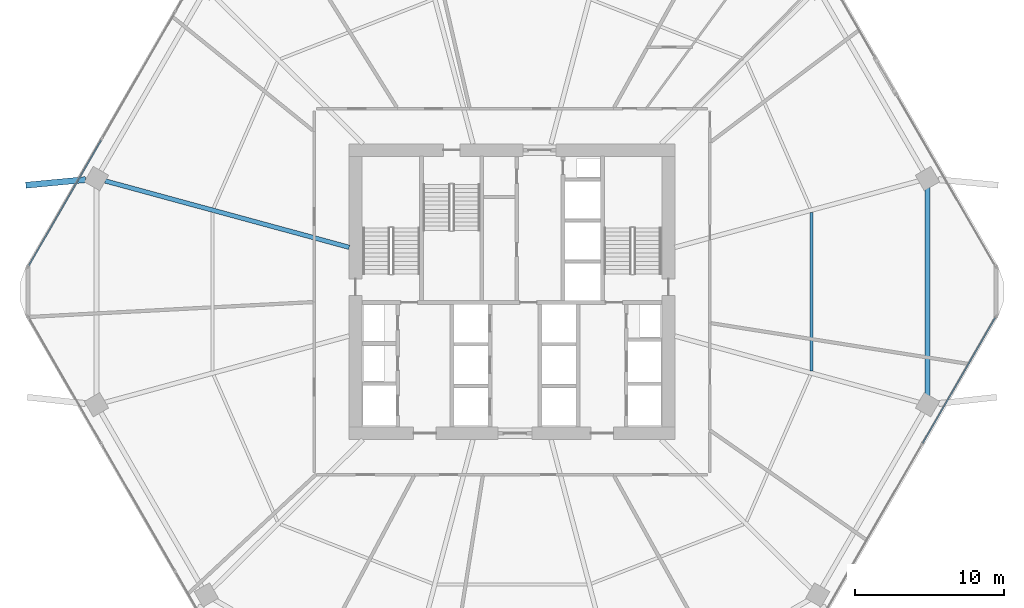
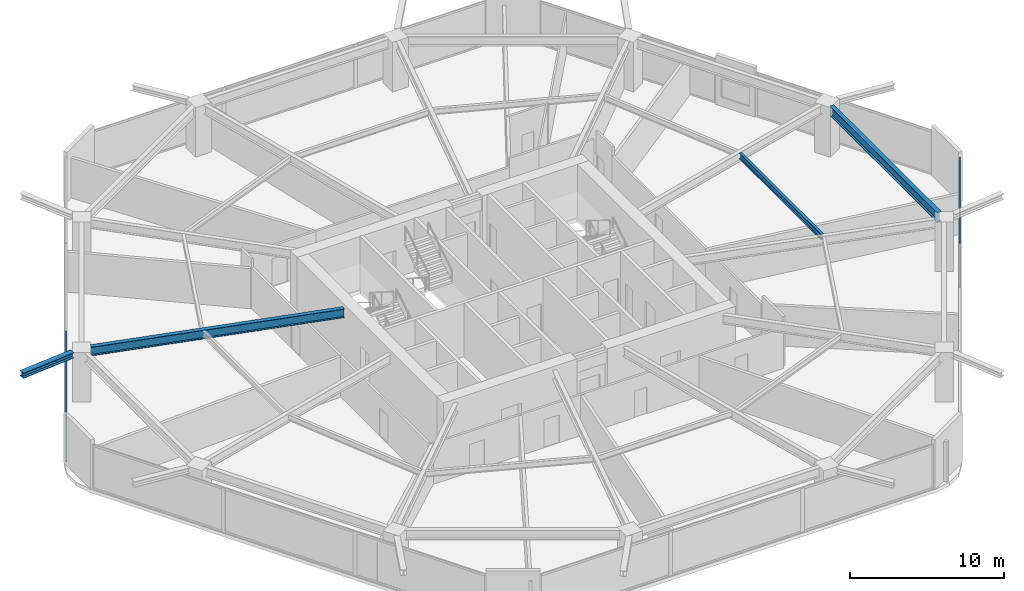
# One storey, part 12 of 25: 4 beams, 4 members, 2 elements without a shape of their own.
"""IFC4 building model written with IfcOpenShell, lengths in metres."""

from ifc_helpers import new_model, si_unit, direction, frame, origin, origin_2d, place, context, subcontext, project, spatial, hollow_rectangle, i_section, extrude, material, material_profile, profile_set, type_object, element, aggregate, save


model = new_model("IFC4")

# Units and contexts
model_context = context("Model", 3, precision=1e-05, world=origin(), true_north=direction((0.0, 1.0)))
body_context = subcontext(model_context, "Body", "Model", "MODEL_VIEW")
ifc_project = project(units=[si_unit("LENGTHUNIT", "METRE"), si_unit("AREAUNIT", "SQUARE_METRE"), si_unit("VOLUMEUNIT", "CUBIC_METRE"), si_unit("PLANEANGLEUNIT", "RADIAN"), si_unit("MASSUNIT", "GRAM", prefix="KILO")], contexts=[model_context])

# Site, building, storey
site_placement = place(None, origin())
site = spatial("IfcSite", under=ifc_project, at=site_placement, CompositionType="ELEMENT")
building_placement = place(site_placement, origin())
building = spatial("IfcBuilding", under=site, at=building_placement, Name="Zuhravey Tower", CompositionType="ELEMENT")
storey_placement = place(building_placement, frame((0.0, 0.0, 37.199951171875)))
storey = spatial("IfcBuildingStorey", under=building, at=storey_placement, Name="L09", CompositionType="ELEMENT", Elevation=37.199951171875)

# Curtain wall, members
ifc_material_1 = material(Name="Thermally broken anodised aluminium", Category="aluminium")
curtain_wall_type = type_object("IfcCurtainWallType", Name="School Low-E Unitised Curtain Wall CW1", PredefinedType="NOTDEFINED", material=ifc_material_1)
curtain_wall_1_placement = place(storey_placement, origin())
curtain_wall_1 = element("IfcCurtainWall", 1, at=curtain_wall_1_placement, inside=storey, type_object=curtain_wall_type, Name="L09 CW1 CW-L09-F6-1", PredefinedType="NOTDEFINED")
ifc_material_2 = material(Name="Anodised aluminium", Category="aluminium")
ifc_material_profile_1 = material_profile(ifc_material_2, hollow_rectangle(XDim=0.090087890625, YDim=0.14990234375, WallThickness=0.0048828125, at=origin_2d()), Name="ALU-RHS-90x150x5")
ifc_profile_set_1 = profile_set([ifc_material_profile_1], Name="Anodised aluminium")
member_type = type_object("IfcMemberType", Name="Curtain-Wall Transom 90x150", PredefinedType="USERDEFINED", material=ifc_profile_set_1)
member_1_placement = place(storey_placement, frame((68.43359375, 30.259521484375, 0.045166015625), z_axis=(-0.500008393077, -0.866020557985, 0.0), x_axis=(0.866020557985, -0.500008393077, 0.0)))
member_1 = element("IfcMember", 2, at=member_1_placement, type_object=member_type, Name="CW1 transom 1.1", ObjectType="TRANSOM", PredefinedType="USERDEFINED", context=body_context, shape_type="SweptSolid", body=[
    extrude(hollow_rectangle(XDim=0.090087890625, YDim=0.14990234375, WallThickness=0.0048828125, at=origin_2d()), origin(), (0.0, 0.0, 1.0), 9.731201171875),
])
member_2_placement = place(storey_placement, frame((68.43359375, 30.259521484375, 3.447021484375), z_axis=(-0.500008393077, -0.866020557985, 0.0), x_axis=(0.866020557985, -0.500008393077, 0.0)))
member_2 = element("IfcMember", 3, at=member_2_placement, type_object=member_type, Name="CW1 transom 1.2", ObjectType="TRANSOM", PredefinedType="USERDEFINED", context=body_context, shape_type="SweptSolid", body=[
    extrude(hollow_rectangle(XDim=0.090087890625, YDim=0.14990234375, WallThickness=0.0048828125, at=origin_2d()), origin(), (0.0, 0.0, 1.0), 9.731201171875),
])
aggregate(curtain_wall_1, [member_1, member_2])

curtain_wall_2_placement = place(storey_placement, origin())
curtain_wall_2 = element("IfcCurtainWall", 4, at=curtain_wall_2_placement, inside=storey, type_object=curtain_wall_type, Name="L09 CW1 CW-L09-F3-1", PredefinedType="NOTDEFINED")
member_3_placement = place(storey_placement, frame((3.56640625, 33.740478515625, 0.045166015625), z_axis=(0.500008393077, 0.866020557985, 0.0), x_axis=(-0.866020557985, 0.500008393077, 0.0)))
member_3 = element("IfcMember", 5, at=member_3_placement, type_object=member_type, Name="CW1 transom 1.1", ObjectType="TRANSOM", PredefinedType="USERDEFINED", context=body_context, shape_type="SweptSolid", body=[
    extrude(hollow_rectangle(XDim=0.090087890625, YDim=0.14990234375, WallThickness=0.0048828125, at=origin_2d()), origin(), (0.0, 0.0, 1.0), 9.731201171875),
])
member_4_placement = place(storey_placement, frame((3.56640625, 33.740478515625, 3.447021484375), z_axis=(0.500008393077, 0.866020557985, 0.0), x_axis=(-0.866020557985, 0.500008393077, 0.0)))
member_4 = element("IfcMember", 6, at=member_4_placement, type_object=member_type, Name="CW1 transom 1.2", ObjectType="TRANSOM", PredefinedType="USERDEFINED", context=body_context, shape_type="SweptSolid", body=[
    extrude(hollow_rectangle(XDim=0.090087890625, YDim=0.14990234375, WallThickness=0.0048828125, at=origin_2d()), origin(), (0.0, 0.0, 1.0), 9.731201171875),
])
aggregate(curtain_wall_2, [member_3, member_4])

# Beams
ifc_material_3 = material(Name="Steel SM460", Category="steel")
ifc_material_profile_2 = material_profile(ifc_material_3, i_section(OverallWidth=0.406982421875, OverallDepth=0.427978515625, WebThickness=0.02001953125, FlangeThickness=0.034912109375, at=origin_2d()), Name="H-428x407x20x35")
ifc_profile_set_2 = profile_set([ifc_material_profile_2], Name="Steel SM460")
beam_type_1 = type_object("IfcBeamType", Name="Exoskeleton Node Tie Beam H428x407", PredefinedType="BEAM", material=ifc_profile_set_2)
beam_1_placement = place(storey_placement, frame((7.3740234375, 39.521728515625, 3.7060546875), z_axis=(-0.99552164768, -0.09453385108, 0.0), x_axis=(0.09453385108, -0.99552164768, 0.0)))
element("IfcBeam", 7, at=beam_1_placement, inside=storey, type_object=beam_type_1, Name="L09 Exoskeleton Node Tie NT1-06", PredefinedType="BEAM", context=body_context, shape_type="SweptSolid", body=[
    extrude(i_section(OverallWidth=0.406982421875, OverallDepth=0.427978515625, WebThickness=0.02001953125, FlangeThickness=0.034912109375, at=origin_2d()), origin(), (0.0, 0.0, 1.0), 4.0185546875),
])
ifc_material_4 = material(Name="Steel SM355", Category="steel")
ifc_material_profile_3 = material_profile(ifc_material_4, i_section(OverallWidth=0.320068359375, OverallDepth=0.75, WebThickness=0.013916015625, FlangeThickness=0.02490234375, at=origin_2d()), Name="H-750x320x14x25")
ifc_profile_set_3 = profile_set([ifc_material_profile_3], Name="Steel SM355")
beam_type_2 = type_object("IfcBeamType", Name="Perimeter Ring Beam H750x320", PredefinedType="BEAM", material=ifc_profile_set_3)
beam_2_placement = place(storey_placement, frame((63.88916015625, 25.011474609375, 3.545166015625), z_axis=(0.0, 1.0, 0.0), x_axis=(-1.0, 0.0, 0.0)))
element("IfcBeam", 8, at=beam_2_placement, inside=storey, type_object=beam_type_2, Name="L09 PB1 BM-L09-PB-12", PredefinedType="BEAM", context=body_context, shape_type="SweptSolid", body=[
    extrude(i_section(OverallWidth=0.320068359375, OverallDepth=0.75, WebThickness=0.013916015625, FlangeThickness=0.02490234375, at=origin_2d()), origin(), (0.0, 0.0, 1.0), 13.97705078125),
])
ifc_material_profile_4 = material_profile(ifc_material_4, i_section(OverallWidth=0.300048828125, OverallDepth=0.699951171875, WebThickness=0.012939453125, FlangeThickness=0.02392578125, at=origin_2d()), Name="H-700x300x13x24")
ifc_profile_set_4 = profile_set([ifc_material_profile_4], Name="Steel SM355")
beam_type_3 = type_object("IfcBeamType", Name="Radial Primary Girder H700x300", PredefinedType="BEAM", material=ifc_profile_set_4)
beam_3_placement = place(storey_placement, frame((25.072021484375, 34.974609375, 3.570068359375), z_axis=(-0.964892480455, 0.26264520015, 0.0), x_axis=(-0.26264520015, -0.964892480455, 0.0)))
element("IfcBeam", 9, at=beam_3_placement, inside=storey, type_object=beam_type_3, Name="L09 RG1 BM-L09-RAD-06", PredefinedType="BEAM", context=body_context, shape_type="SweptSolid", body=[
    extrude(i_section(OverallWidth=0.300048828125, OverallDepth=0.699951171875, WebThickness=0.012939453125, FlangeThickness=0.02392578125, at=origin_2d()), origin(), (0.0, 0.0, 1.0), 16.975341796875),
])
ifc_material_profile_5 = material_profile(ifc_material_4, i_section(OverallWidth=0.199951171875, OverallDepth=0.449951171875, WebThickness=0.009033203125, FlangeThickness=0.013916015625, at=origin_2d()), Name="H-450x200x9x14")
ifc_profile_set_5 = profile_set([ifc_material_profile_5], Name="Steel SM355")
beam_type_4 = type_object("IfcBeamType", Name="Secondary Floor Joist H450x200", PredefinedType="JOIST", material=ifc_profile_set_5)
beam_4_placement = place(storey_placement, frame((56.0869140625, 26.686279296875, 3.695068359375), z_axis=(0.0, 1.0, 0.0), x_axis=(-1.0, 0.0, 0.0)))
element("IfcBeam", 10, at=beam_4_placement, inside=storey, type_object=beam_type_4, Name="L09 SJ1 BM-L09-SJ-12-1", PredefinedType="JOIST", context=body_context, shape_type="SweptSolid", body=[
    extrude(i_section(OverallWidth=0.199951171875, OverallDepth=0.449951171875, WebThickness=0.009033203125, FlangeThickness=0.013916015625, at=origin_2d()), origin(), (0.0, 0.0, 1.0), 10.62744140625),
])

save(model, "model.ifc")
